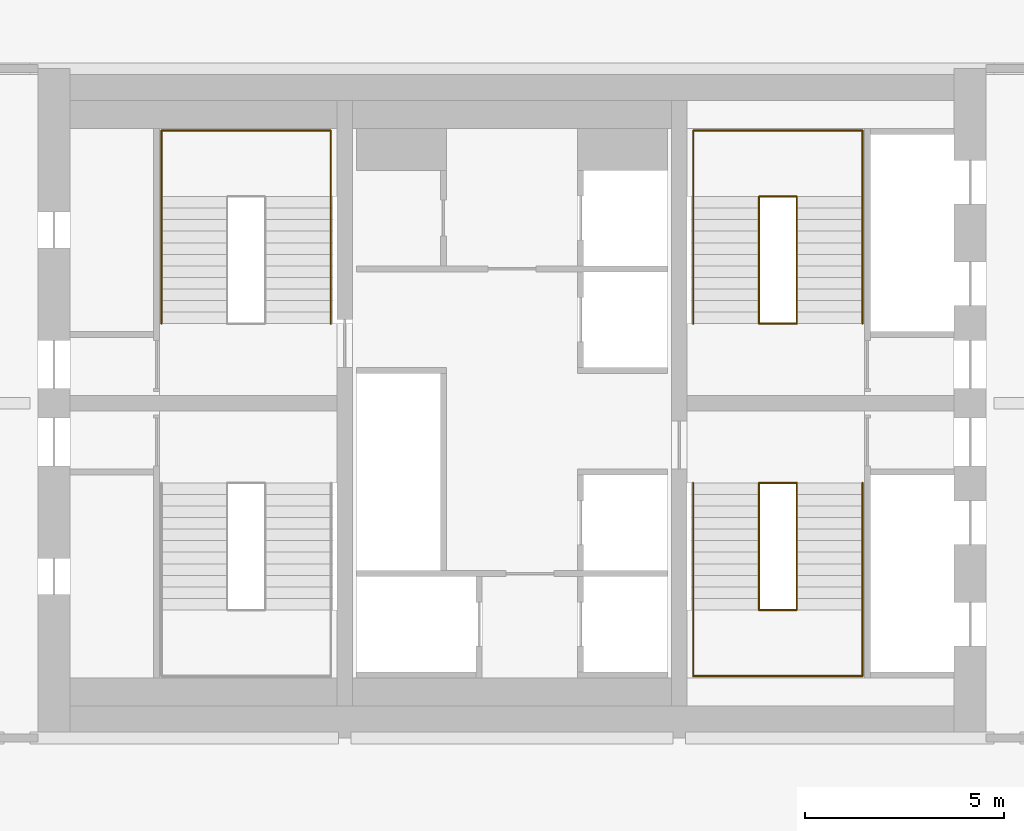
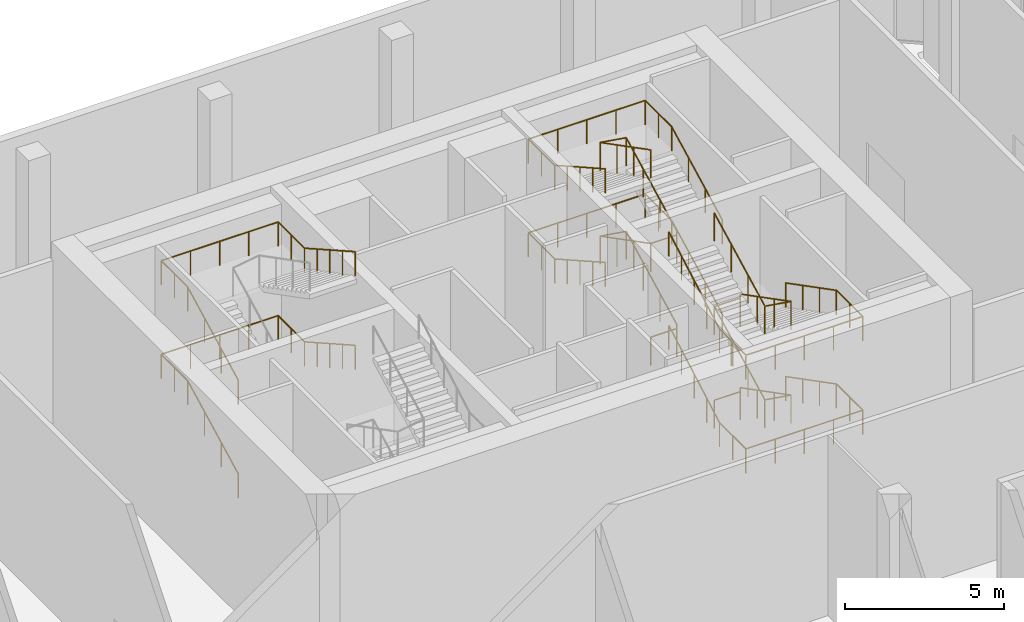
# One storey, part 25 of 25: 10 railings.
"""IFC4 building model written with IfcOpenShell, lengths in metres."""

from ifc_helpers import new_model, si_unit, direction, frame, origin, origin_2d, place, context, subcontext, project, spatial, circle, extrude, material, type_object, element, save


model = new_model("IFC4")

# Units and contexts
model_context = context("Model", 3, precision=1e-05, world=origin(), true_north=direction((0.0, 1.0)))
body_context = subcontext(model_context, "Body", "Model", "MODEL_VIEW")
ifc_project = project(units=[si_unit("LENGTHUNIT", "METRE"), si_unit("AREAUNIT", "SQUARE_METRE"), si_unit("VOLUMEUNIT", "CUBIC_METRE"), si_unit("PLANEANGLEUNIT", "RADIAN"), si_unit("MASSUNIT", "GRAM", prefix="KILO")], contexts=[model_context])

# Site, building, storey
site_placement = place(None, origin())
site = spatial("IfcSite", under=ifc_project, at=site_placement, CompositionType="ELEMENT")
building_placement = place(site_placement, origin())
building = spatial("IfcBuilding", under=site, at=building_placement, Name="Marenta Gate Hotel Tower", CompositionType="ELEMENT")
storey_placement = place(building_placement, frame((0.0, 0.0, 180.5)))
storey = spatial("IfcBuildingStorey", under=building, at=storey_placement, Name="L41", CompositionType="ELEMENT", Elevation=180.5)

# Railings
ifc_material_1 = material(Name="Stainless steel", Category="steel")
railing_type_1 = type_object("IfcRailingType", Name="Core stair handrail 950", PredefinedType="HANDRAIL", material=ifc_material_1)
railing_1_placement = place(storey_placement, frame((-8.800048828125, 10.39990234375, 0.14990234375)))
element("IfcRailing", 1, at=railing_1_placement, inside=storey, type_object=railing_type_1, Name="HR-950 L41-KR-ST2-1", PredefinedType="HANDRAIL", context=body_context, shape_type="SweptSolid", body=[
    extrude(circle(Radius=0.02392578125, at=origin_2d()), frame((0.0, 0.0, 0.92578125), z_axis=(0.0, 0.888211904222, 0.459434013977), x_axis=(-1.0, 0.0, 0.0)), (0.0, 0.0, 1.0), 3.591796875),
    extrude(circle(Radius=0.02392578125, at=origin_2d()), frame((0.0, 3.190185546875, 2.576171875), z_axis=(0.0, 1.0, 0.0), x_axis=(-1.0, 0.0, 0.0)), (0.0, 0.0, 1.0), 1.659912109375),
    extrude(circle(Radius=0.02392578125, at=origin_2d()), frame((0.0, 4.85009765625, 2.576171875), z_axis=(1.0, 0.0, 0.0), x_axis=(0.0, 1.0, 0.0)), (0.0, 0.0, 1.0), 4.25),
    extrude(circle(Radius=0.02392578125, at=origin_2d()), frame((4.25, 4.85009765625, 2.576171875), z_axis=(0.0, -1.0, 0.0), x_axis=(1.0, 0.0, 0.0)), (0.0, 0.0, 1.0), 1.659912109375),
    extrude(circle(Radius=0.02392578125, at=origin_2d()), frame((4.25, 3.190185546875, 2.576171875), z_axis=(0.0, -0.870925075533, 0.491415824742), x_axis=(1.0, 0.0, 0.0)), (0.0, 0.0, 1.0), 3.6630859375),
    extrude(circle(Radius=0.02099609375, at=origin_2d()), origin(), (0.0, 0.0, 1.0), 0.90185546875),
    extrude(circle(Radius=0.02099609375, at=origin_2d()), frame((0.0, 1.0634765625, 0.550048828125)), (0.0, 0.0, 1.0), 0.90185546875),
    extrude(circle(Radius=0.02099609375, at=origin_2d()), frame((0.0, 2.126708984375, 1.10009765625)), (0.0, 0.0, 1.0), 0.90185546875),
    extrude(circle(Radius=0.02099609375, at=origin_2d()), frame((0.0, 3.190185546875, 1.650146484375)), (0.0, 0.0, 1.0), 0.90185546875),
    extrude(circle(Radius=0.02099609375, at=origin_2d()), frame((0.0, 4.02001953125, 1.650146484375)), (0.0, 0.0, 1.0), 0.90185546875),
    extrude(circle(Radius=0.02099609375, at=origin_2d()), frame((0.0, 4.85009765625, 1.650146484375)), (0.0, 0.0, 1.0), 0.90185546875),
    extrude(circle(Radius=0.02099609375, at=origin_2d()), frame((1.0625, 4.85009765625, 1.650146484375)), (0.0, 0.0, 1.0), 0.90185546875),
    extrude(circle(Radius=0.02099609375, at=origin_2d()), frame((2.125, 4.85009765625, 1.650146484375)), (0.0, 0.0, 1.0), 0.90185546875),
    extrude(circle(Radius=0.02099609375, at=origin_2d()), frame((3.1875, 4.85009765625, 1.650146484375)), (0.0, 0.0, 1.0), 0.90185546875),
    extrude(circle(Radius=0.02099609375, at=origin_2d()), frame((4.25, 4.85009765625, 1.650146484375)), (0.0, 0.0, 1.0), 0.90185546875),
    extrude(circle(Radius=0.02099609375, at=origin_2d()), frame((4.25, 4.02001953125, 1.650146484375)), (0.0, 0.0, 1.0), 0.90185546875),
    extrude(circle(Radius=0.02099609375, at=origin_2d()), frame((4.25, 3.190185546875, 1.650146484375)), (0.0, 0.0, 1.0), 0.90185546875),
    extrude(circle(Radius=0.02099609375, at=origin_2d()), frame((4.25, 2.392578125, 2.10009765625)), (0.0, 0.0, 1.0), 0.90185546875),
    extrude(circle(Radius=0.02099609375, at=origin_2d()), frame((4.25, 1.59521484375, 2.55029296875)), (0.0, 0.0, 1.0), 0.90185546875),
    extrude(circle(Radius=0.02099609375, at=origin_2d()), frame((4.25, 0.797607421875, 3.000244140625)), (0.0, 0.0, 1.0), 0.90185546875),
    extrude(circle(Radius=0.02099609375, at=origin_2d()), frame((4.25, 0.0, 3.4501953125)), (0.0, 0.0, 1.0), 0.90185546875),
])
railing_2_placement = place(storey_placement, frame((-8.800048828125, 10.39990234375, 3.75)))
element("IfcRailing", 2, at=railing_2_placement, inside=storey, type_object=railing_type_1, Name="HR-950 L41-KR-ST2-3", PredefinedType="HANDRAIL", context=body_context, shape_type="SweptSolid", body=[
    extrude(circle(Radius=0.02392578125, at=origin_2d()), frame((0.0, 0.0, 0.92578125), z_axis=(0.0, 0.888239641807, 0.459380385653), x_axis=(-1.0, 0.0, 0.0)), (0.0, 0.0, 1.0), 3.591552734375),
    extrude(circle(Radius=0.02392578125, at=origin_2d()), frame((0.0, 3.190185546875, 2.57568359375), z_axis=(0.0, 1.0, 0.0), x_axis=(-1.0, 0.0, 0.0)), (0.0, 0.0, 1.0), 1.659912109375),
    extrude(circle(Radius=0.02392578125, at=origin_2d()), frame((0.0, 4.85009765625, 2.57568359375), z_axis=(1.0, 0.0, 0.0), x_axis=(0.0, 1.0, 0.0)), (0.0, 0.0, 1.0), 4.25),
    extrude(circle(Radius=0.02392578125, at=origin_2d()), frame((4.25, 4.85009765625, 2.57568359375), z_axis=(0.0, -1.0, 0.0), x_axis=(1.0, 0.0, 0.0)), (0.0, 0.0, 1.0), 1.659912109375),
    extrude(circle(Radius=0.02392578125, at=origin_2d()), frame((4.25, 3.190185546875, 2.57568359375), z_axis=(0.0, -0.870925075533, 0.491415824742), x_axis=(1.0, 0.0, 0.0)), (0.0, 0.0, 1.0), 3.6630859375),
    extrude(circle(Radius=0.02099609375, at=origin_2d()), origin(), (0.0, 0.0, 1.0), 0.90185546875),
    extrude(circle(Radius=0.02099609375, at=origin_2d()), frame((0.0, 1.0634765625, 0.550048828125)), (0.0, 0.0, 1.0), 0.90185546875),
    extrude(circle(Radius=0.02099609375, at=origin_2d()), frame((0.0, 2.126708984375, 1.099853515625)), (0.0, 0.0, 1.0), 0.90185546875),
    extrude(circle(Radius=0.02099609375, at=origin_2d()), frame((0.0, 3.190185546875, 1.64990234375)), (0.0, 0.0, 1.0), 0.90185546875),
    extrude(circle(Radius=0.02099609375, at=origin_2d()), frame((0.0, 4.02001953125, 1.64990234375)), (0.0, 0.0, 1.0), 0.90185546875),
    extrude(circle(Radius=0.02099609375, at=origin_2d()), frame((0.0, 4.85009765625, 1.64990234375)), (0.0, 0.0, 1.0), 0.90185546875),
    extrude(circle(Radius=0.02099609375, at=origin_2d()), frame((1.0625, 4.85009765625, 1.64990234375)), (0.0, 0.0, 1.0), 0.90185546875),
    extrude(circle(Radius=0.02099609375, at=origin_2d()), frame((2.125, 4.85009765625, 1.64990234375)), (0.0, 0.0, 1.0), 0.90185546875),
    extrude(circle(Radius=0.02099609375, at=origin_2d()), frame((3.1875, 4.85009765625, 1.64990234375)), (0.0, 0.0, 1.0), 0.90185546875),
    extrude(circle(Radius=0.02099609375, at=origin_2d()), frame((4.25, 4.85009765625, 1.64990234375)), (0.0, 0.0, 1.0), 0.90185546875),
    extrude(circle(Radius=0.02099609375, at=origin_2d()), frame((4.25, 4.02001953125, 1.64990234375)), (0.0, 0.0, 1.0), 0.90185546875),
    extrude(circle(Radius=0.02099609375, at=origin_2d()), frame((4.25, 3.190185546875, 1.64990234375)), (0.0, 0.0, 1.0), 0.90185546875),
    extrude(circle(Radius=0.02099609375, at=origin_2d()), frame((4.25, 2.392578125, 2.099853515625)), (0.0, 0.0, 1.0), 0.90185546875),
    extrude(circle(Radius=0.02099609375, at=origin_2d()), frame((4.25, 1.59521484375, 2.5498046875)), (0.0, 0.0, 1.0), 0.90185546875),
    extrude(circle(Radius=0.02099609375, at=origin_2d()), frame((4.25, 0.797607421875, 3.0)), (0.0, 0.0, 1.0), 0.90185546875),
    extrude(circle(Radius=0.02099609375, at=origin_2d()), frame((4.25, 0.0, 3.449951171875)), (0.0, 0.0, 1.0), 0.90185546875),
])
railing_3_placement = place(storey_placement, frame((8.800048828125, 6.39990234375, 0.14990234375)))
element("IfcRailing", 3, at=railing_3_placement, inside=storey, type_object=railing_type_1, Name="HR-950 L41-KR-ST3-1", PredefinedType="HANDRAIL", context=body_context, shape_type="SweptSolid", body=[
    extrude(circle(Radius=0.02392578125, at=origin_2d()), frame((0.0, 0.0, 0.92578125), z_axis=(0.0, -0.888197555067, 0.459461753765), x_axis=(1.0, 0.0, 0.0)), (0.0, 0.0, 1.0), 3.591552734375),
    extrude(circle(Radius=0.02392578125, at=origin_2d()), frame((0.0, -3.18994140625, 2.576171875), z_axis=(0.0, -1.0, 0.0), x_axis=(1.0, 0.0, 0.0)), (0.0, 0.0, 1.0), 1.659912109375),
    extrude(circle(Radius=0.02392578125, at=origin_2d()), frame((0.0, -4.849853515625, 2.576171875), z_axis=(-1.0, 0.0, 0.0), x_axis=(0.0, -1.0, 0.0)), (0.0, 0.0, 1.0), 4.25),
    extrude(circle(Radius=0.02392578125, at=origin_2d()), frame((-4.25, -4.849853515625, 2.576171875), z_axis=(0.0, 1.0, 0.0), x_axis=(-1.0, 0.0, 0.0)), (0.0, 0.0, 1.0), 1.659912109375),
    extrude(circle(Radius=0.02392578125, at=origin_2d()), frame((-4.25, -3.18994140625, 2.576171875), z_axis=(0.0, 0.87090897868, 0.491444351738), x_axis=(-1.0, 0.0, 0.0)), (0.0, 0.0, 1.0), 3.662841796875),
    extrude(circle(Radius=0.02099609375, at=origin_2d()), origin(), (0.0, 0.0, 1.0), 0.90185546875),
    extrude(circle(Radius=0.02099609375, at=origin_2d()), frame((0.0, -1.063232421875, 0.550048828125)), (0.0, 0.0, 1.0), 0.90185546875),
    extrude(circle(Radius=0.02099609375, at=origin_2d()), frame((0.0, -2.126708984375, 1.10009765625)), (0.0, 0.0, 1.0), 0.90185546875),
    extrude(circle(Radius=0.02099609375, at=origin_2d()), frame((0.0, -3.18994140625, 1.650146484375)), (0.0, 0.0, 1.0), 0.90185546875),
    extrude(circle(Radius=0.02099609375, at=origin_2d()), frame((0.0, -4.02001953125, 1.650146484375)), (0.0, 0.0, 1.0), 0.90185546875),
    extrude(circle(Radius=0.02099609375, at=origin_2d()), frame((0.0, -4.849853515625, 1.650146484375)), (0.0, 0.0, 1.0), 0.90185546875),
    extrude(circle(Radius=0.02099609375, at=origin_2d()), frame((-1.0625, -4.849853515625, 1.650146484375)), (0.0, 0.0, 1.0), 0.90185546875),
    extrude(circle(Radius=0.02099609375, at=origin_2d()), frame((-2.125, -4.849853515625, 1.650146484375)), (0.0, 0.0, 1.0), 0.90185546875),
    extrude(circle(Radius=0.02099609375, at=origin_2d()), frame((-3.1875, -4.849853515625, 1.650146484375)), (0.0, 0.0, 1.0), 0.90185546875),
    extrude(circle(Radius=0.02099609375, at=origin_2d()), frame((-4.25, -4.849853515625, 1.650146484375)), (0.0, 0.0, 1.0), 0.90185546875),
    extrude(circle(Radius=0.02099609375, at=origin_2d()), frame((-4.25, -4.02001953125, 1.650146484375)), (0.0, 0.0, 1.0), 0.90185546875),
    extrude(circle(Radius=0.02099609375, at=origin_2d()), frame((-4.25, -3.18994140625, 1.650146484375)), (0.0, 0.0, 1.0), 0.90185546875),
    extrude(circle(Radius=0.02099609375, at=origin_2d()), frame((-4.25, -2.392578125, 2.10009765625)), (0.0, 0.0, 1.0), 0.90185546875),
    extrude(circle(Radius=0.02099609375, at=origin_2d()), frame((-4.25, -1.594970703125, 2.55029296875)), (0.0, 0.0, 1.0), 0.90185546875),
    extrude(circle(Radius=0.02099609375, at=origin_2d()), frame((-4.25, -0.79736328125, 3.000244140625)), (0.0, 0.0, 1.0), 0.90185546875),
    extrude(circle(Radius=0.02099609375, at=origin_2d()), frame((-4.25, 0.0, 3.4501953125)), (0.0, 0.0, 1.0), 0.90185546875),
])
railing_4_placement = place(storey_placement, frame((8.800048828125, 6.39990234375, 3.75)))
element("IfcRailing", 4, at=railing_4_placement, inside=storey, type_object=railing_type_1, Name="HR-950 L41-KR-ST3-3", PredefinedType="HANDRAIL", context=body_context, shape_type="SweptSolid", body=[
    extrude(circle(Radius=0.02392578125, at=origin_2d()), frame((0.0, 0.0, 0.92578125), z_axis=(0.0, -0.888225295554, 0.459408123936), x_axis=(1.0, 0.0, 0.0)), (0.0, 0.0, 1.0), 3.59130859375),
    extrude(circle(Radius=0.02392578125, at=origin_2d()), frame((0.0, -3.18994140625, 2.57568359375), z_axis=(0.0, -1.0, 0.0), x_axis=(1.0, 0.0, 0.0)), (0.0, 0.0, 1.0), 1.659912109375),
    extrude(circle(Radius=0.02392578125, at=origin_2d()), frame((0.0, -4.849853515625, 2.57568359375), z_axis=(-1.0, 0.0, 0.0), x_axis=(0.0, -1.0, 0.0)), (0.0, 0.0, 1.0), 4.25),
    extrude(circle(Radius=0.02392578125, at=origin_2d()), frame((-4.25, -4.849853515625, 2.57568359375), z_axis=(0.0, 1.0, 0.0), x_axis=(-1.0, 0.0, 0.0)), (0.0, 0.0, 1.0), 1.659912109375),
    extrude(circle(Radius=0.02392578125, at=origin_2d()), frame((-4.25, -3.18994140625, 2.57568359375), z_axis=(0.0, 0.87090897868, 0.491444351738), x_axis=(-1.0, 0.0, 0.0)), (0.0, 0.0, 1.0), 3.662841796875),
    extrude(circle(Radius=0.02099609375, at=origin_2d()), origin(), (0.0, 0.0, 1.0), 0.90185546875),
    extrude(circle(Radius=0.02099609375, at=origin_2d()), frame((0.0, -1.063232421875, 0.550048828125)), (0.0, 0.0, 1.0), 0.90185546875),
    extrude(circle(Radius=0.02099609375, at=origin_2d()), frame((0.0, -2.126708984375, 1.099853515625)), (0.0, 0.0, 1.0), 0.90185546875),
    extrude(circle(Radius=0.02099609375, at=origin_2d()), frame((0.0, -3.18994140625, 1.64990234375)), (0.0, 0.0, 1.0), 0.90185546875),
    extrude(circle(Radius=0.02099609375, at=origin_2d()), frame((0.0, -4.02001953125, 1.64990234375)), (0.0, 0.0, 1.0), 0.90185546875),
    extrude(circle(Radius=0.02099609375, at=origin_2d()), frame((0.0, -4.849853515625, 1.64990234375)), (0.0, 0.0, 1.0), 0.90185546875),
    extrude(circle(Radius=0.02099609375, at=origin_2d()), frame((-1.0625, -4.849853515625, 1.64990234375)), (0.0, 0.0, 1.0), 0.90185546875),
    extrude(circle(Radius=0.02099609375, at=origin_2d()), frame((-2.125, -4.849853515625, 1.64990234375)), (0.0, 0.0, 1.0), 0.90185546875),
    extrude(circle(Radius=0.02099609375, at=origin_2d()), frame((-3.1875, -4.849853515625, 1.64990234375)), (0.0, 0.0, 1.0), 0.90185546875),
    extrude(circle(Radius=0.02099609375, at=origin_2d()), frame((-4.25, -4.849853515625, 1.64990234375)), (0.0, 0.0, 1.0), 0.90185546875),
    extrude(circle(Radius=0.02099609375, at=origin_2d()), frame((-4.25, -4.02001953125, 1.64990234375)), (0.0, 0.0, 1.0), 0.90185546875),
    extrude(circle(Radius=0.02099609375, at=origin_2d()), frame((-4.25, -3.18994140625, 1.64990234375)), (0.0, 0.0, 1.0), 0.90185546875),
    extrude(circle(Radius=0.02099609375, at=origin_2d()), frame((-4.25, -2.392578125, 2.099853515625)), (0.0, 0.0, 1.0), 0.90185546875),
    extrude(circle(Radius=0.02099609375, at=origin_2d()), frame((-4.25, -1.594970703125, 2.5498046875)), (0.0, 0.0, 1.0), 0.90185546875),
    extrude(circle(Radius=0.02099609375, at=origin_2d()), frame((-4.25, -0.79736328125, 3.0)), (0.0, 0.0, 1.0), 0.90185546875),
    extrude(circle(Radius=0.02099609375, at=origin_2d()), frame((-4.25, 0.0, 3.449951171875)), (0.0, 0.0, 1.0), 0.90185546875),
])
railing_5_placement = place(storey_placement, frame((8.800048828125, 10.39990234375, 0.14990234375)))
element("IfcRailing", 5, at=railing_5_placement, inside=storey, type_object=railing_type_1, Name="HR-950 L41-KR-ST4-1", PredefinedType="HANDRAIL", context=body_context, shape_type="SweptSolid", body=[
    extrude(circle(Radius=0.02392578125, at=origin_2d()), frame((0.0, 0.0, 0.92578125), z_axis=(0.0, 0.888211904222, 0.459434013977), x_axis=(-1.0, 0.0, 0.0)), (0.0, 0.0, 1.0), 3.591796875),
    extrude(circle(Radius=0.02392578125, at=origin_2d()), frame((0.0, 3.190185546875, 2.576171875), z_axis=(0.0, 1.0, 0.0), x_axis=(-1.0, 0.0, 0.0)), (0.0, 0.0, 1.0), 1.659912109375),
    extrude(circle(Radius=0.02392578125, at=origin_2d()), frame((0.0, 4.85009765625, 2.576171875), z_axis=(-1.0, 0.0, 0.0), x_axis=(0.0, -1.0, 0.0)), (0.0, 0.0, 1.0), 4.25),
    extrude(circle(Radius=0.02392578125, at=origin_2d()), frame((-4.25, 4.85009765625, 2.576171875), z_axis=(0.0, -1.0, 0.0), x_axis=(1.0, 0.0, 0.0)), (0.0, 0.0, 1.0), 1.659912109375),
    extrude(circle(Radius=0.02392578125, at=origin_2d()), frame((-4.25, 3.190185546875, 2.576171875), z_axis=(0.0, -0.870925075533, 0.491415824742), x_axis=(1.0, 0.0, 0.0)), (0.0, 0.0, 1.0), 3.6630859375),
    extrude(circle(Radius=0.02099609375, at=origin_2d()), origin(), (0.0, 0.0, 1.0), 0.90185546875),
    extrude(circle(Radius=0.02099609375, at=origin_2d()), frame((0.0, 1.0634765625, 0.550048828125)), (0.0, 0.0, 1.0), 0.90185546875),
    extrude(circle(Radius=0.02099609375, at=origin_2d()), frame((0.0, 2.126708984375, 1.10009765625)), (0.0, 0.0, 1.0), 0.90185546875),
    extrude(circle(Radius=0.02099609375, at=origin_2d()), frame((0.0, 3.190185546875, 1.650146484375)), (0.0, 0.0, 1.0), 0.90185546875),
    extrude(circle(Radius=0.02099609375, at=origin_2d()), frame((0.0, 4.02001953125, 1.650146484375)), (0.0, 0.0, 1.0), 0.90185546875),
    extrude(circle(Radius=0.02099609375, at=origin_2d()), frame((0.0, 4.85009765625, 1.650146484375)), (0.0, 0.0, 1.0), 0.90185546875),
    extrude(circle(Radius=0.02099609375, at=origin_2d()), frame((-1.0625, 4.85009765625, 1.650146484375)), (0.0, 0.0, 1.0), 0.90185546875),
    extrude(circle(Radius=0.02099609375, at=origin_2d()), frame((-2.125, 4.85009765625, 1.650146484375)), (0.0, 0.0, 1.0), 0.90185546875),
    extrude(circle(Radius=0.02099609375, at=origin_2d()), frame((-3.1875, 4.85009765625, 1.650146484375)), (0.0, 0.0, 1.0), 0.90185546875),
    extrude(circle(Radius=0.02099609375, at=origin_2d()), frame((-4.25, 4.85009765625, 1.650146484375)), (0.0, 0.0, 1.0), 0.90185546875),
    extrude(circle(Radius=0.02099609375, at=origin_2d()), frame((-4.25, 4.02001953125, 1.650146484375)), (0.0, 0.0, 1.0), 0.90185546875),
    extrude(circle(Radius=0.02099609375, at=origin_2d()), frame((-4.25, 3.190185546875, 1.650146484375)), (0.0, 0.0, 1.0), 0.90185546875),
    extrude(circle(Radius=0.02099609375, at=origin_2d()), frame((-4.25, 2.392578125, 2.10009765625)), (0.0, 0.0, 1.0), 0.90185546875),
    extrude(circle(Radius=0.02099609375, at=origin_2d()), frame((-4.25, 1.59521484375, 2.55029296875)), (0.0, 0.0, 1.0), 0.90185546875),
    extrude(circle(Radius=0.02099609375, at=origin_2d()), frame((-4.25, 0.797607421875, 3.000244140625)), (0.0, 0.0, 1.0), 0.90185546875),
    extrude(circle(Radius=0.02099609375, at=origin_2d()), frame((-4.25, 0.0, 3.4501953125)), (0.0, 0.0, 1.0), 0.90185546875),
])
railing_6_placement = place(storey_placement, frame((8.800048828125, 10.39990234375, 3.75)))
element("IfcRailing", 6, at=railing_6_placement, inside=storey, type_object=railing_type_1, Name="HR-950 L41-KR-ST4-3", PredefinedType="HANDRAIL", context=body_context, shape_type="SweptSolid", body=[
    extrude(circle(Radius=0.02392578125, at=origin_2d()), frame((0.0, 0.0, 0.92578125), z_axis=(0.0, 0.888239641807, 0.459380385653), x_axis=(-1.0, 0.0, 0.0)), (0.0, 0.0, 1.0), 3.591552734375),
    extrude(circle(Radius=0.02392578125, at=origin_2d()), frame((0.0, 3.190185546875, 2.57568359375), z_axis=(0.0, 1.0, 0.0), x_axis=(-1.0, 0.0, 0.0)), (0.0, 0.0, 1.0), 1.659912109375),
    extrude(circle(Radius=0.02392578125, at=origin_2d()), frame((0.0, 4.85009765625, 2.57568359375), z_axis=(-1.0, 0.0, 0.0), x_axis=(0.0, -1.0, 0.0)), (0.0, 0.0, 1.0), 4.25),
    extrude(circle(Radius=0.02392578125, at=origin_2d()), frame((-4.25, 4.85009765625, 2.57568359375), z_axis=(0.0, -1.0, 0.0), x_axis=(1.0, 0.0, 0.0)), (0.0, 0.0, 1.0), 1.659912109375),
    extrude(circle(Radius=0.02392578125, at=origin_2d()), frame((-4.25, 3.190185546875, 2.57568359375), z_axis=(0.0, -0.870925075533, 0.491415824742), x_axis=(1.0, 0.0, 0.0)), (0.0, 0.0, 1.0), 3.6630859375),
    extrude(circle(Radius=0.02099609375, at=origin_2d()), origin(), (0.0, 0.0, 1.0), 0.90185546875),
    extrude(circle(Radius=0.02099609375, at=origin_2d()), frame((0.0, 1.0634765625, 0.550048828125)), (0.0, 0.0, 1.0), 0.90185546875),
    extrude(circle(Radius=0.02099609375, at=origin_2d()), frame((0.0, 2.126708984375, 1.099853515625)), (0.0, 0.0, 1.0), 0.90185546875),
    extrude(circle(Radius=0.02099609375, at=origin_2d()), frame((0.0, 3.190185546875, 1.64990234375)), (0.0, 0.0, 1.0), 0.90185546875),
    extrude(circle(Radius=0.02099609375, at=origin_2d()), frame((0.0, 4.02001953125, 1.64990234375)), (0.0, 0.0, 1.0), 0.90185546875),
    extrude(circle(Radius=0.02099609375, at=origin_2d()), frame((0.0, 4.85009765625, 1.64990234375)), (0.0, 0.0, 1.0), 0.90185546875),
    extrude(circle(Radius=0.02099609375, at=origin_2d()), frame((-1.0625, 4.85009765625, 1.64990234375)), (0.0, 0.0, 1.0), 0.90185546875),
    extrude(circle(Radius=0.02099609375, at=origin_2d()), frame((-2.125, 4.85009765625, 1.64990234375)), (0.0, 0.0, 1.0), 0.90185546875),
    extrude(circle(Radius=0.02099609375, at=origin_2d()), frame((-3.1875, 4.85009765625, 1.64990234375)), (0.0, 0.0, 1.0), 0.90185546875),
    extrude(circle(Radius=0.02099609375, at=origin_2d()), frame((-4.25, 4.85009765625, 1.64990234375)), (0.0, 0.0, 1.0), 0.90185546875),
    extrude(circle(Radius=0.02099609375, at=origin_2d()), frame((-4.25, 4.02001953125, 1.64990234375)), (0.0, 0.0, 1.0), 0.90185546875),
    extrude(circle(Radius=0.02099609375, at=origin_2d()), frame((-4.25, 3.190185546875, 1.64990234375)), (0.0, 0.0, 1.0), 0.90185546875),
    extrude(circle(Radius=0.02099609375, at=origin_2d()), frame((-4.25, 2.392578125, 2.099853515625)), (0.0, 0.0, 1.0), 0.90185546875),
    extrude(circle(Radius=0.02099609375, at=origin_2d()), frame((-4.25, 1.59521484375, 2.5498046875)), (0.0, 0.0, 1.0), 0.90185546875),
    extrude(circle(Radius=0.02099609375, at=origin_2d()), frame((-4.25, 0.797607421875, 3.0)), (0.0, 0.0, 1.0), 0.90185546875),
    extrude(circle(Radius=0.02099609375, at=origin_2d()), frame((-4.25, 0.0, 3.449951171875)), (0.0, 0.0, 1.0), 0.90185546875),
])
ifc_material_2 = material(Name="Stainless steel", Category="steel")
railing_type_2 = type_object("IfcRailingType", Name="Core stair well guard 1100", PredefinedType="GUARDRAIL", material=ifc_material_2)
railing_7_placement = place(storey_placement, frame((6.199951171875, 6.39990234375, 0.0)))
element("IfcRailing", 7, at=railing_7_placement, inside=storey, type_object=railing_type_2, Name="GR-1100 L41-KR-ST3-2", PredefinedType="GUARDRAIL", context=body_context, shape_type="SweptSolid", body=[
    extrude(circle(Radius=0.02392578125, at=origin_2d()), frame((0.0, 0.0, 1.076171875), z_axis=(1.0, 0.0, 0.0), x_axis=(0.0, 1.0, 0.0)), (0.0, 0.0, 1.0), 0.949951171875),
    extrude(circle(Radius=0.02392578125, at=origin_2d()), frame((0.949951171875, 0.0, 1.076171875), z_axis=(0.0, 0.0, 1.0), x_axis=(1.0, 0.0, 0.0)), (0.0, 0.0, 1.0), 0.14990234375),
    extrude(circle(Radius=0.02392578125, at=origin_2d()), frame((0.949951171875, 0.0, 1.22607421875), z_axis=(0.0, -0.888197555067, 0.459461753765), x_axis=(1.0, 0.0, 0.0)), (0.0, 0.0, 1.0), 3.591552734375),
    extrude(circle(Radius=0.02392578125, at=origin_2d()), frame((0.949951171875, -3.18994140625, 2.8759765625), z_axis=(-0.987777369502, 0.0, 0.15587131968), x_axis=(0.0, -1.0, 0.0)), (0.0, 0.0, 1.0), 0.961669921875),
    extrude(circle(Radius=0.02392578125, at=origin_2d()), frame((0.0, -3.18994140625, 3.02587890625), z_axis=(0.0, 0.888197555067, 0.459461753765), x_axis=(-1.0, 0.0, 0.0)), (0.0, 0.0, 1.0), 3.591552734375),
    extrude(circle(Radius=0.02099609375, at=origin_2d()), origin(), (0.0, 0.0, 1.0), 1.052001953125),
    extrude(circle(Radius=0.02099609375, at=origin_2d()), frame((0.949951171875, 0.0, 0.0)), (0.0, 0.0, 1.0), 1.052001953125),
    extrude(circle(Radius=0.02099609375, at=origin_2d()), frame((0.949951171875, 0.0, 0.14990234375)), (0.0, 0.0, 1.0), 1.052001953125),
    extrude(circle(Radius=0.02099609375, at=origin_2d()), frame((0.949951171875, -1.063232421875, 0.699951171875)), (0.0, 0.0, 1.0), 1.052001953125),
    extrude(circle(Radius=0.02099609375, at=origin_2d()), frame((0.949951171875, -2.126708984375, 1.25)), (0.0, 0.0, 1.0), 1.052001953125),
    extrude(circle(Radius=0.02099609375, at=origin_2d()), frame((0.949951171875, -3.18994140625, 1.800048828125)), (0.0, 0.0, 1.0), 1.052001953125),
    extrude(circle(Radius=0.02099609375, at=origin_2d()), frame((0.0, -3.18994140625, 1.949951171875)), (0.0, 0.0, 1.0), 1.052001953125),
    extrude(circle(Radius=0.02099609375, at=origin_2d()), frame((0.0, -2.126708984375, 2.5)), (0.0, 0.0, 1.0), 1.052001953125),
    extrude(circle(Radius=0.02099609375, at=origin_2d()), frame((0.0, -1.063232421875, 3.050048828125)), (0.0, 0.0, 1.0), 1.052001953125),
    extrude(circle(Radius=0.02099609375, at=origin_2d()), frame((0.0, 0.0, 3.60009765625)), (0.0, 0.0, 1.0), 1.052001953125),
])
railing_8_placement = place(storey_placement, frame((6.199951171875, 6.39990234375, 3.60009765625)))
element("IfcRailing", 8, at=railing_8_placement, inside=storey, type_object=railing_type_2, Name="GR-1100 L41-KR-ST3-4", PredefinedType="GUARDRAIL", context=body_context, shape_type="SweptSolid", body=[
    extrude(circle(Radius=0.02392578125, at=origin_2d()), frame((0.0, 0.0, 1.076171875), z_axis=(1.0, 0.0, 0.0), x_axis=(0.0, 1.0, 0.0)), (0.0, 0.0, 1.0), 0.949951171875),
    extrude(circle(Radius=0.02392578125, at=origin_2d()), frame((0.949951171875, 0.0, 1.076171875), z_axis=(0.0, 0.0, 1.0), x_axis=(1.0, 0.0, 0.0)), (0.0, 0.0, 1.0), 0.14990234375),
    extrude(circle(Radius=0.02392578125, at=origin_2d()), frame((0.949951171875, 0.0, 1.22607421875), z_axis=(0.0, -0.888225295554, 0.459408123936), x_axis=(1.0, 0.0, 0.0)), (0.0, 0.0, 1.0), 3.59130859375),
    extrude(circle(Radius=0.02392578125, at=origin_2d()), frame((0.949951171875, -3.18994140625, 2.8759765625), z_axis=(-0.987738253826, 0.0, 0.156118999255), x_axis=(0.0, -1.0, 0.0)), (0.0, 0.0, 1.0), 0.961669921875),
    extrude(circle(Radius=0.02392578125, at=origin_2d()), frame((0.0, -3.18994140625, 3.02587890625), z_axis=(0.0, 0.888225295554, 0.459408123936), x_axis=(-1.0, 0.0, 0.0)), (0.0, 0.0, 1.0), 3.59130859375),
    extrude(circle(Radius=0.02099609375, at=origin_2d()), origin(), (0.0, 0.0, 1.0), 1.052001953125),
    extrude(circle(Radius=0.02099609375, at=origin_2d()), frame((0.949951171875, 0.0, 0.0)), (0.0, 0.0, 1.0), 1.052001953125),
    extrude(circle(Radius=0.02099609375, at=origin_2d()), frame((0.949951171875, 0.0, 0.14990234375)), (0.0, 0.0, 1.0), 1.052001953125),
    extrude(circle(Radius=0.02099609375, at=origin_2d()), frame((0.949951171875, -1.063232421875, 0.699951171875)), (0.0, 0.0, 1.0), 1.052001953125),
    extrude(circle(Radius=0.02099609375, at=origin_2d()), frame((0.949951171875, -2.126708984375, 1.249755859375)), (0.0, 0.0, 1.0), 1.052001953125),
    extrude(circle(Radius=0.02099609375, at=origin_2d()), frame((0.949951171875, -3.18994140625, 1.7998046875)), (0.0, 0.0, 1.0), 1.052001953125),
    extrude(circle(Radius=0.02099609375, at=origin_2d()), frame((0.0, -3.18994140625, 1.949951171875)), (0.0, 0.0, 1.0), 1.052001953125),
    extrude(circle(Radius=0.02099609375, at=origin_2d()), frame((0.0, -2.126708984375, 2.5)), (0.0, 0.0, 1.0), 1.052001953125),
    extrude(circle(Radius=0.02099609375, at=origin_2d()), frame((0.0, -1.063232421875, 3.0498046875)), (0.0, 0.0, 1.0), 1.052001953125),
    extrude(circle(Radius=0.02099609375, at=origin_2d()), frame((0.0, 0.0, 3.599853515625)), (0.0, 0.0, 1.0), 1.052001953125),
])
railing_9_placement = place(storey_placement, frame((6.199951171875, 10.39990234375, 0.0)))
element("IfcRailing", 9, at=railing_9_placement, inside=storey, type_object=railing_type_2, Name="GR-1100 L41-KR-ST4-2", PredefinedType="GUARDRAIL", context=body_context, shape_type="SweptSolid", body=[
    extrude(circle(Radius=0.02392578125, at=origin_2d()), frame((0.0, 0.0, 1.076171875), z_axis=(1.0, 0.0, 0.0), x_axis=(0.0, 1.0, 0.0)), (0.0, 0.0, 1.0), 0.949951171875),
    extrude(circle(Radius=0.02392578125, at=origin_2d()), frame((0.949951171875, 0.0, 1.076171875), z_axis=(0.0, 0.0, 1.0), x_axis=(1.0, 0.0, 0.0)), (0.0, 0.0, 1.0), 0.14990234375),
    extrude(circle(Radius=0.02392578125, at=origin_2d()), frame((0.949951171875, 0.0, 1.22607421875), z_axis=(0.0, 0.888211904222, 0.459434013977), x_axis=(-1.0, 0.0, 0.0)), (0.0, 0.0, 1.0), 3.591796875),
    extrude(circle(Radius=0.02392578125, at=origin_2d()), frame((0.949951171875, 3.190185546875, 2.8759765625), z_axis=(-0.987777369502, 0.0, 0.15587131968), x_axis=(0.0, -1.0, 0.0)), (0.0, 0.0, 1.0), 0.961669921875),
    extrude(circle(Radius=0.02392578125, at=origin_2d()), frame((0.0, 3.190185546875, 3.02587890625), z_axis=(0.0, -0.888211904222, 0.459434013977), x_axis=(1.0, 0.0, 0.0)), (0.0, 0.0, 1.0), 3.591796875),
    extrude(circle(Radius=0.02099609375, at=origin_2d()), origin(), (0.0, 0.0, 1.0), 1.052001953125),
    extrude(circle(Radius=0.02099609375, at=origin_2d()), frame((0.949951171875, 0.0, 0.0)), (0.0, 0.0, 1.0), 1.052001953125),
    extrude(circle(Radius=0.02099609375, at=origin_2d()), frame((0.949951171875, 0.0, 0.14990234375)), (0.0, 0.0, 1.0), 1.052001953125),
    extrude(circle(Radius=0.02099609375, at=origin_2d()), frame((0.949951171875, 1.0634765625, 0.699951171875)), (0.0, 0.0, 1.0), 1.052001953125),
    extrude(circle(Radius=0.02099609375, at=origin_2d()), frame((0.949951171875, 2.126708984375, 1.25)), (0.0, 0.0, 1.0), 1.052001953125),
    extrude(circle(Radius=0.02099609375, at=origin_2d()), frame((0.949951171875, 3.190185546875, 1.800048828125)), (0.0, 0.0, 1.0), 1.052001953125),
    extrude(circle(Radius=0.02099609375, at=origin_2d()), frame((0.0, 3.190185546875, 1.949951171875)), (0.0, 0.0, 1.0), 1.052001953125),
    extrude(circle(Radius=0.02099609375, at=origin_2d()), frame((0.0, 2.126708984375, 2.5)), (0.0, 0.0, 1.0), 1.052001953125),
    extrude(circle(Radius=0.02099609375, at=origin_2d()), frame((0.0, 1.0634765625, 3.050048828125)), (0.0, 0.0, 1.0), 1.052001953125),
    extrude(circle(Radius=0.02099609375, at=origin_2d()), frame((0.0, 0.0, 3.60009765625)), (0.0, 0.0, 1.0), 1.052001953125),
])
railing_10_placement = place(storey_placement, frame((6.199951171875, 10.39990234375, 3.60009765625)))
element("IfcRailing", 10, at=railing_10_placement, inside=storey, type_object=railing_type_2, Name="GR-1100 L41-KR-ST4-4", PredefinedType="GUARDRAIL", context=body_context, shape_type="SweptSolid", body=[
    extrude(circle(Radius=0.02392578125, at=origin_2d()), frame((0.0, 0.0, 1.076171875), z_axis=(1.0, 0.0, 0.0), x_axis=(0.0, 1.0, 0.0)), (0.0, 0.0, 1.0), 0.949951171875),
    extrude(circle(Radius=0.02392578125, at=origin_2d()), frame((0.949951171875, 0.0, 1.076171875), z_axis=(0.0, 0.0, 1.0), x_axis=(1.0, 0.0, 0.0)), (0.0, 0.0, 1.0), 0.14990234375),
    extrude(circle(Radius=0.02392578125, at=origin_2d()), frame((0.949951171875, 0.0, 1.22607421875), z_axis=(0.0, 0.888239641807, 0.459380385653), x_axis=(-1.0, 0.0, 0.0)), (0.0, 0.0, 1.0), 3.591552734375),
    extrude(circle(Radius=0.02392578125, at=origin_2d()), frame((0.949951171875, 3.190185546875, 2.8759765625), z_axis=(-0.987738253826, 0.0, 0.156118999255), x_axis=(0.0, -1.0, 0.0)), (0.0, 0.0, 1.0), 0.961669921875),
    extrude(circle(Radius=0.02392578125, at=origin_2d()), frame((0.0, 3.190185546875, 3.02587890625), z_axis=(0.0, -0.888239641807, 0.459380385653), x_axis=(1.0, 0.0, 0.0)), (0.0, 0.0, 1.0), 3.591552734375),
    extrude(circle(Radius=0.02099609375, at=origin_2d()), origin(), (0.0, 0.0, 1.0), 1.052001953125),
    extrude(circle(Radius=0.02099609375, at=origin_2d()), frame((0.949951171875, 0.0, 0.0)), (0.0, 0.0, 1.0), 1.052001953125),
    extrude(circle(Radius=0.02099609375, at=origin_2d()), frame((0.949951171875, 0.0, 0.14990234375)), (0.0, 0.0, 1.0), 1.052001953125),
    extrude(circle(Radius=0.02099609375, at=origin_2d()), frame((0.949951171875, 1.0634765625, 0.699951171875)), (0.0, 0.0, 1.0), 1.052001953125),
    extrude(circle(Radius=0.02099609375, at=origin_2d()), frame((0.949951171875, 2.126708984375, 1.249755859375)), (0.0, 0.0, 1.0), 1.052001953125),
    extrude(circle(Radius=0.02099609375, at=origin_2d()), frame((0.949951171875, 3.190185546875, 1.7998046875)), (0.0, 0.0, 1.0), 1.052001953125),
    extrude(circle(Radius=0.02099609375, at=origin_2d()), frame((0.0, 3.190185546875, 1.949951171875)), (0.0, 0.0, 1.0), 1.052001953125),
    extrude(circle(Radius=0.02099609375, at=origin_2d()), frame((0.0, 2.126708984375, 2.5)), (0.0, 0.0, 1.0), 1.052001953125),
    extrude(circle(Radius=0.02099609375, at=origin_2d()), frame((0.0, 1.0634765625, 3.0498046875)), (0.0, 0.0, 1.0), 1.052001953125),
    extrude(circle(Radius=0.02099609375, at=origin_2d()), frame((0.0, 0.0, 3.599853515625)), (0.0, 0.0, 1.0), 1.052001953125),
])

save(model, "model.ifc")
